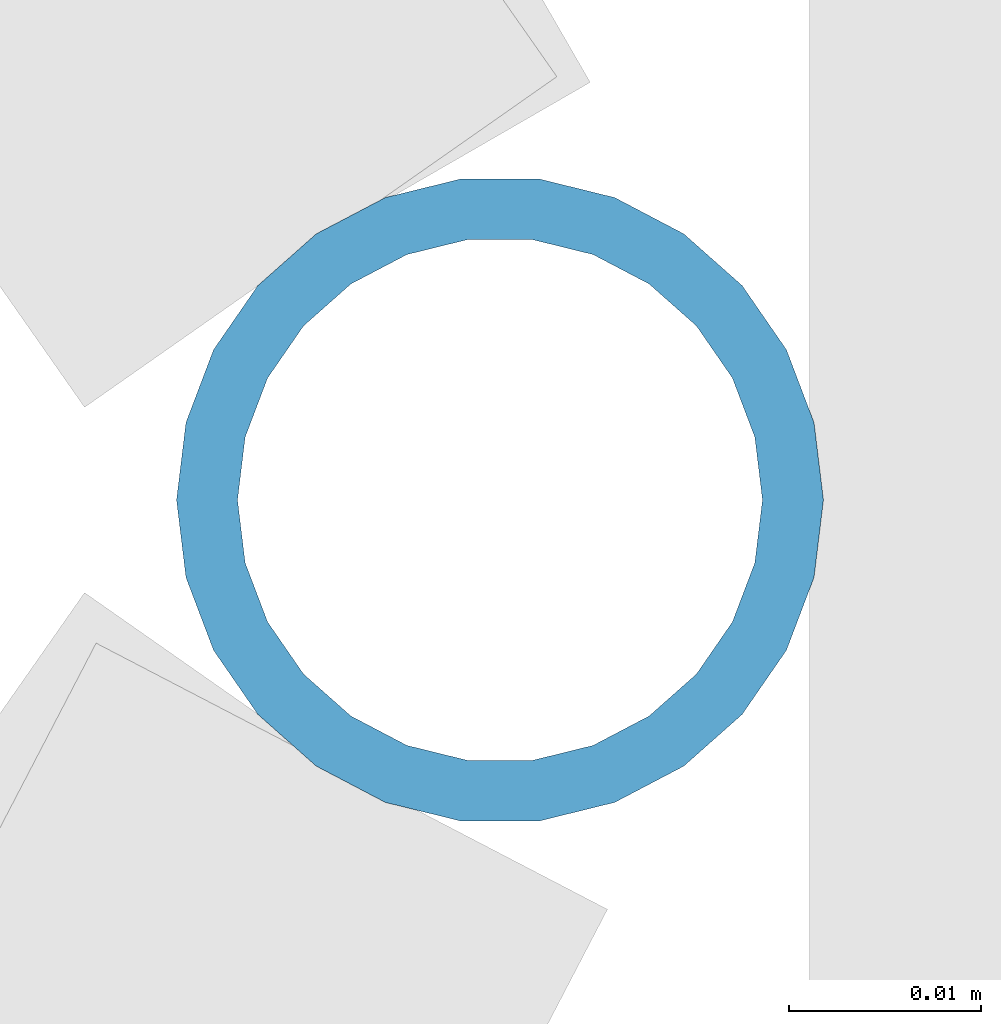
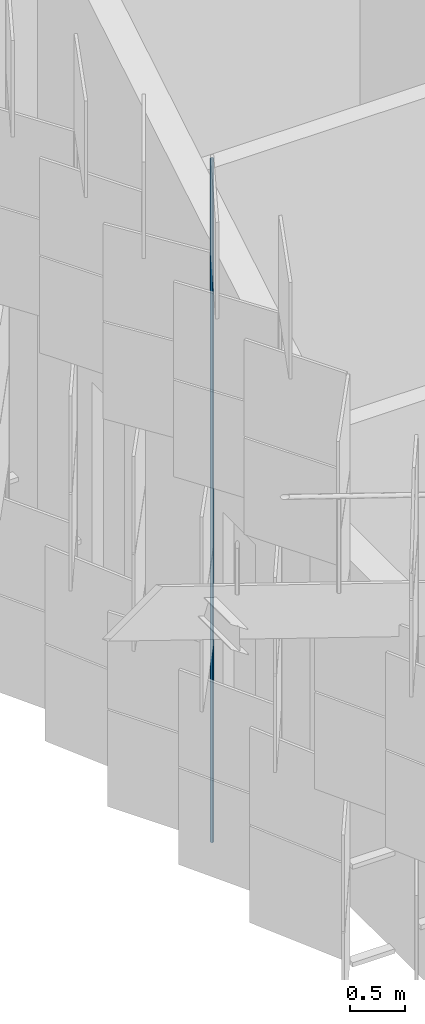
# One storey, part 192 of 483: 1 discrete accessory.
"""IFC4 building model written with IfcOpenShell, lengths in metres."""

from ifc_helpers import new_model, si_unit, direction, frame, origin, origin_2d, place, context, subcontext, project, spatial, hollow_circle, extrude, material, material_profile, profile_set, type_object, element, save


model = new_model("IFC4")

# Units and contexts
model_context = context("Model", 3, precision=1e-05, world=origin(), true_north=direction((0.0, 1.0)))
body_context = subcontext(model_context, "Body", "Model", "MODEL_VIEW")
ifc_project = project(units=[si_unit("LENGTHUNIT", "METRE"), si_unit("AREAUNIT", "SQUARE_METRE"), si_unit("VOLUMEUNIT", "CUBIC_METRE"), si_unit("PLANEANGLEUNIT", "RADIAN"), si_unit("MASSUNIT", "GRAM", prefix="KILO")], contexts=[model_context])

# Site, building, storey
site_placement = place(None, origin())
site = spatial("IfcSite", under=ifc_project, at=site_placement, CompositionType="ELEMENT")
building_placement = place(site_placement, origin())
building = spatial("IfcBuilding", under=site, at=building_placement, Name="Parallax Yard Mobility Hub", CompositionType="ELEMENT")
storey_placement = place(building_placement, frame((0.0, 0.0, 13.199951171875)))
storey = spatial("IfcBuildingStorey", under=building, at=storey_placement, Name="L04", CompositionType="ELEMENT", Elevation=13.199951171875)

# Discrete accessory
ifc_material = material(Name="Steel ASTM A500 Gr C, hot-dip galvanised", Category="steel")
ifc_material_profile = material_profile(ifc_material, hollow_circle(Radius=0.016845703125, WallThickness=0.003173828125, at=origin_2d()), Name="CHS 33.7x3.2")
ifc_profile_set = profile_set([ifc_material_profile], Name="Steel ASTM A500 Gr C, hot-dip galvanised")
discrete_accessory_type = type_object("IfcDiscreteAccessoryType", Name="Hinge post CHS 33.7x3.2", PredefinedType="BRACKET", material=ifc_profile_set)
discrete_accessory_placement = place(storey_placement, frame((194.42236328125, 80.798095703125, 0.0), z_axis=(0.0, 0.0, 1.0), x_axis=(1.0, 0.0, 0.0)))
element("IfcDiscreteAccessory", 1, at=discrete_accessory_placement, inside=storey, type_object=discrete_accessory_type, Name="Hinge post bay 23.9 level L04", PredefinedType="BRACKET", context=body_context, shape_type="SweptSolid", body=[
    extrude(hollow_circle(Radius=0.016845703125, WallThickness=0.003173828125, at=origin_2d()), origin(), (0.0, 0.0, 1.0), 7.650146484375),
])

save(model, "model.ifc")
